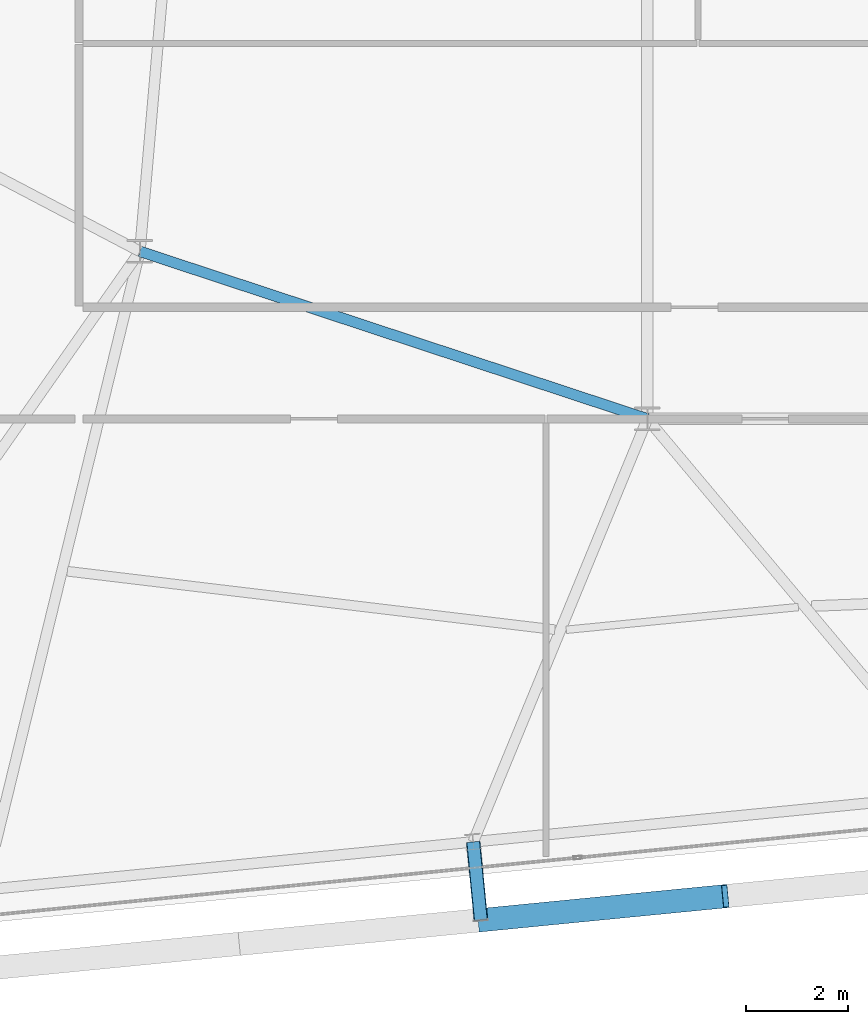
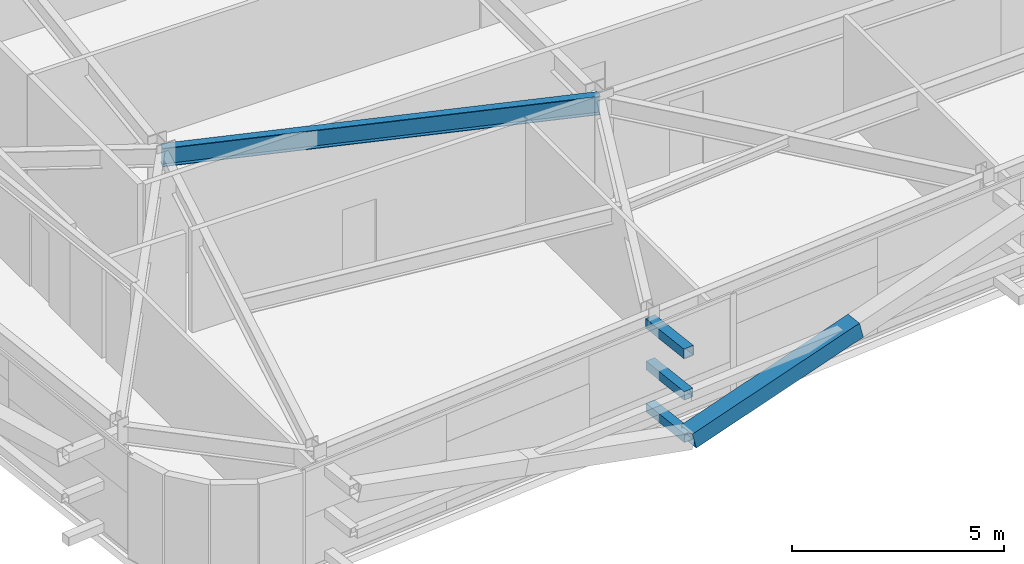
# One storey, part 8 of 47: 4 members, 1 beam.
"""IFC4 building model written with IfcOpenShell, lengths in metres."""

import ifcopenshell
import ifcopenshell.guid

model = None  # the IFC model being written
_history = None  # IfcOwnerHistory: only IFC2X3 demands one
_inside = {}  # id of a spatial element -> (the spatial element, [elements in it])
_under = {}  # id of a project, library or spatial element -> (it, [spatial elements below it])
_declared = {}  # id of a project -> (the project, [libraries it declares])
_typed = {}  # id of a type object -> (the type object, [elements of that type])
_made_of = {}  # id of a material, layer set ... -> (it, [elements and type objects made of it])


def new_model(schema):
    """Start an empty IFC model of exactly this schema.

    Asked for "IFC4X3", IfcOpenShell would pick the latest addendum, in which some entities
    have other attributes; the version numbers below select the first issue.
    IFC2X3 requires an IfcOwnerHistory on every rooted entity: one is made here for all.
    """
    global model, _history
    if schema == "IFC4X3":
        model = ifcopenshell.file(schema_version=(4, 3, 0, 0))
    else:
        model = ifcopenshell.file(schema=schema)
    _inside.clear()
    _under.clear()
    _declared.clear()
    _typed.clear()
    _made_of.clear()
    _history = None
    if model.schema == "IFC2X3":
        org = make("IfcOrganization", Name="unknown")
        user = make(
            "IfcPersonAndOrganization",
            ThePerson=make("IfcPerson", FamilyName="unknown"),
            TheOrganization=org,
        )
        app = make(
            "IfcApplication",
            ApplicationDeveloper=org,
            Version="unknown",
            ApplicationFullName="unknown",
            ApplicationIdentifier="unknown",
        )
        _history = make(
            "IfcOwnerHistory",
            OwningUser=user,
            OwningApplication=app,
            ChangeAction="ADDED",
            CreationDate=0,
        )
    return model


def make(cls, **values):
    """One entity of the class cls with the attributes given. An attribute that is None is left unset."""
    return model.create_entity(
        cls, **{name: value for name, value in values.items() if value is not None}
    )


def rooted(cls, **values):
    """An entity with a GlobalId (a new one), such as an element, a storey or a relation."""
    return make(cls, GlobalId=ifcopenshell.guid.new(), OwnerHistory=_history, **values)


def si_unit(unit_type, name, prefix=None):
    """IfcSIUnit, for example si_unit("LENGTHUNIT", "METRE", prefix="MILLI")."""
    return make("IfcSIUnit", UnitType=unit_type, Prefix=prefix, Name=name)


def assignment(units):
    """IfcUnitAssignment: the units of a project."""
    return None if units is None else make("IfcUnitAssignment", Units=units)


def point(xyz):
    """IfcCartesianPoint."""
    return None if xyz is None else make("IfcCartesianPoint", Coordinates=xyz)


def direction(xyz):
    """IfcDirection."""
    return None if xyz is None else make("IfcDirection", DirectionRatios=xyz)


def frame(location, z_axis=None, x_axis=None):
    """IfcAxis2Placement3D, a coordinate frame: its origin and axes. An axis left out is left unset."""
    return make(
        "IfcAxis2Placement3D",
        Location=point(location),
        Axis=direction(z_axis),
        RefDirection=direction(x_axis),
    )


def frame_2d(location, x_axis=None):
    """IfcAxis2Placement2D, a coordinate frame in the plane: its origin and x axis."""
    return make(
        "IfcAxis2Placement2D", Location=point(location), RefDirection=direction(x_axis)
    )


def origin():
    """The frame at (0, 0, 0) with its axes left unset."""
    return frame((0.0, 0.0, 0.0))


def origin_2d():
    """The frame at (0, 0) in the plane with its x axis left unset."""
    return frame_2d((0.0, 0.0))


def place(relative_to, where):
    """IfcLocalPlacement: puts the frame where relative to a parent placement (None: the world)."""
    return make(
        "IfcLocalPlacement", PlacementRelTo=relative_to, RelativePlacement=where
    )


def context(
    kind, dimensions, precision=None, world=None, true_north=None, identifier=None
):
    """IfcGeometricRepresentationContext, for example the 3D "Model" context."""
    return make(
        "IfcGeometricRepresentationContext",
        ContextIdentifier=identifier,
        ContextType=kind,
        CoordinateSpaceDimension=dimensions,
        Precision=precision,
        WorldCoordinateSystem=world,
        TrueNorth=true_north,
    )


def subcontext(parent, identifier, kind, view, scale=None):
    """IfcGeometricRepresentationSubContext, for example "Body" below "Model"."""
    return make(
        "IfcGeometricRepresentationSubContext",
        ContextIdentifier=identifier,
        ContextType=kind,
        ParentContext=parent,
        TargetScale=scale,
        TargetView=view,
    )


def project(units=None, contexts=None):
    """IfcProject with its units and contexts."""
    return rooted(
        "IfcProject",
        Name="project",
        RepresentationContexts=contexts,
        UnitsInContext=assignment(units),
    )


def spatial(cls, under=None, at=None, **own):
    """A site, building, storey or space (cls), placed at a placement, below another one or the project."""
    s = rooted(cls, ObjectPlacement=at, **own)
    if under is not None:
        _under.setdefault(under.id(), (under, []))[1].append(s)
    return s


def profile(cls, at=None, kind="AREA", **sizes):
    """A parametric profile (cls). Its sizes go by their IFC names, for example OverallWidth=200.0."""
    return make(cls, ProfileType=kind, Position=at, **sizes)


def hollow_rectangle(**sizes):
    """IfcRectangleHollowProfileDef."""
    return profile("IfcRectangleHollowProfileDef", **sizes)


def i_section(**sizes):
    """IfcIShapeProfileDef."""
    return profile("IfcIShapeProfileDef", **sizes)


def extrude(swept, where, along, depth):
    """IfcExtrudedAreaSolid: the profile swept, set in the frame where, extruded along a direction by depth."""
    return make(
        "IfcExtrudedAreaSolid",
        SweptArea=swept,
        Position=where,
        ExtrudedDirection=direction(along),
        Depth=depth,
    )


def shape(context_of_items, identifier, shape_type, items):
    """IfcShapeRepresentation: the items that make up one representation, for example the "Body"."""
    return make(
        "IfcShapeRepresentation",
        ContextOfItems=context_of_items,
        RepresentationIdentifier=identifier,
        RepresentationType=shape_type,
        Items=items,
    )


def source(mapping_origin, context_of_items, identifier, shape_type, items):
    """IfcRepresentationMap: a shape defined once, which mapped items show again and again."""
    return make(
        "IfcRepresentationMap",
        MappingOrigin=mapping_origin,
        MappedRepresentation=shape(context_of_items, identifier, shape_type, items),
    )


def transform(
    local_origin,
    x_axis=None,
    y_axis=None,
    z_axis=None,
    scale=None,
    scale2=None,
    scale3=None,
    uniform=True,
):
    """IfcCartesianTransformationOperator3D, or its non-uniform kind. x_axis, y_axis, z_axis: its Axis1, 2, 3."""
    if uniform:
        return make(
            "IfcCartesianTransformationOperator3D",
            Axis1=direction(x_axis),
            Axis2=direction(y_axis),
            LocalOrigin=point(local_origin),
            Scale=scale,
            Axis3=direction(z_axis),
        )
    return make(
        "IfcCartesianTransformationOperator3DnonUniform",
        Axis1=direction(x_axis),
        Axis2=direction(y_axis),
        LocalOrigin=point(local_origin),
        Scale=scale,
        Axis3=direction(z_axis),
        Scale2=scale2,
        Scale3=scale3,
    )


def mapped(mapping_source, mapping_target):
    """IfcMappedItem: shows the shape of a source again, moved by a transform."""
    return make(
        "IfcMappedItem", MappingSource=mapping_source, MappingTarget=mapping_target
    )


def material(Name=None, Category=None):
    """IfcMaterial."""
    return make("IfcMaterial", Name=Name, Category=Category)


def material_profile(
    of_material, cross_section, Name=None, Category=None, Priority=None
):
    """IfcMaterialProfile: a cross section and its material."""
    return make(
        "IfcMaterialProfile",
        Name=Name,
        Material=of_material,
        Profile=cross_section,
        Priority=Priority,
        Category=Category,
    )


def profile_set(profiles, Name=None, composite=None):
    """IfcMaterialProfileSet."""
    return make(
        "IfcMaterialProfileSet",
        Name=Name,
        MaterialProfiles=profiles,
        CompositeProfile=composite,
    )


def made_of(thing, what):
    """Note that an element or type object is made of a material, layer set ...; save() writes the relation."""
    if what is not None:
        _made_of.setdefault(what.id(), (what, []))[1].append(thing)
    return thing


def type_object(cls, material=None, **own):
    """A type object (cls), such as IfcWallType, which elements share."""
    return made_of(rooted(cls, **own), material)


def element(
    cls,
    number,
    at=None,
    inside=None,
    cuts=None,
    type_object=None,
    material=None,
    context=None,
    identifier="Body",
    shape_type=None,
    held_by="IfcProductDefinitionShape",
    body=None,
    shapes=None,
    **own,
):
    """One element of the class cls, such as IfcWall. Its Tag is "e" and its number.

    at: its placement. inside: the storey or other place that contains it. cuts: it is an
    opening in that element (IfcRelVoidsElement). A single representation is given by context,
    identifier, shape_type and body (its items); several are given by shapes. held_by: the class
    of the entity that holds the representations. save() writes the other relations.
    """
    e = rooted(cls, Tag="e%d" % number, ObjectPlacement=at, **own)
    if body is not None:
        shapes = [shape(context, identifier, shape_type, body)]
    if shapes is not None:
        e.Representation = make(held_by, Representations=shapes)
    if inside is not None:
        _inside.setdefault(inside.id(), (inside, []))[1].append(e)
    if cuts is not None:
        rooted(
            "IfcRelVoidsElement", RelatingBuildingElement=cuts, RelatedOpeningElement=e
        )
    if type_object is not None:
        _typed.setdefault(type_object.id(), (type_object, []))[1].append(e)
    return made_of(e, material)


def aggregate(whole, parts):
    """IfcRelAggregates: a whole, such as a stair, and the parts it consists of."""
    return rooted("IfcRelAggregates", RelatingObject=whole, RelatedObjects=parts)


def save(model, path):
    """Write the relations noted so far, then the file.

    IfcRelAggregates (storeys below a building ...), IfcRelContainedInSpatialStructure (elements
    in a storey), IfcRelDefinesByType, IfcRelAssociatesMaterial and IfcRelDeclares: one each for
    every whole, place, type object, material and project.
    """
    for whole, parts in _under.values():
        aggregate(whole, parts)
    for where, things in _inside.values():
        rooted(
            "IfcRelContainedInSpatialStructure",
            RelatedElements=things,
            RelatingStructure=where,
        )
    for kind, things in _typed.values():
        rooted("IfcRelDefinesByType", RelatedObjects=things, RelatingType=kind)
    for what, things in _made_of.values():
        rooted("IfcRelAssociatesMaterial", RelatedObjects=things, RelatingMaterial=what)
    for by, libraries in _declared.values():
        rooted("IfcRelDeclares", RelatingContext=by, RelatedDefinitions=libraries)
    model.write(path)


model = new_model("IFC4")

# Units and contexts
model_context = context("Model", 3, precision=1e-05, world=origin(), true_north=direction((0.0, 1.0)))
body_context = subcontext(model_context, "Body", "Model", "MODEL_VIEW")
ifc_project = project(units=[si_unit("LENGTHUNIT", "METRE"), si_unit("AREAUNIT", "SQUARE_METRE"), si_unit("VOLUMEUNIT", "CUBIC_METRE"), si_unit("PLANEANGLEUNIT", "RADIAN"), si_unit("MASSUNIT", "GRAM", prefix="KILO")], contexts=[model_context])

# Site, building, storey
site_placement = place(None, origin())
site = spatial("IfcSite", under=ifc_project, at=site_placement, CompositionType="ELEMENT")
building_placement = place(site_placement, origin())
building = spatial("IfcBuilding", under=site, at=building_placement, Name="Taldren Reach Tower", CompositionType="ELEMENT")
storey_placement = place(building_placement, frame((0.0, 0.0, 90.300048828125)))
storey = spatial("IfcBuildingStorey", under=building, at=storey_placement, Name="L27", CompositionType="ELEMENT", Elevation=90.300048828125)

# Beam
ifc_material_1 = material(Name="Steel Gr 350 (350PLUS)", Category="steel")
ifc_material_profile_1 = material_profile(ifc_material_1, i_section(OverallWidth=0.208984375, OverallDepth=0.532958984375, WebThickness=0.01025390625, FlangeThickness=0.015625, at=origin_2d()), Name="530UB92.4")
ifc_profile_set_1 = profile_set([ifc_material_profile_1], Name="Steel Gr 350 (350PLUS)")
beam_type = type_object("IfcBeamType", Name="BM-UB530A", PredefinedType="BEAM", material=ifc_profile_set_1)
shared_shape_1 = source(origin(), body_context, "Body", "SweptSolid", [
    extrude(i_section(OverallWidth=0.208984375, OverallDepth=0.532958984375, WebThickness=0.01025390625, FlangeThickness=0.015625, at=origin_2d()), origin(), (0.0, 0.0, 1.0), 10.530517578125),
])
beam_placement = place(storey_placement, frame((18.0, 12.5, 2.663330078125), z_axis=(0.949627269203, -0.313381635689, 0.0), x_axis=(0.313381635689, 0.949627269203, 0.0)))
element("IfcBeam", 1, at=beam_placement, inside=storey, type_object=beam_type, Name="Core-spine girder L27-SP10", PredefinedType="BEAM", context=body_context, shape_type="MappedRepresentation", body=[
    mapped(shared_shape_1, transform((0.0, 0.0, 0.0), scale=1.0)),
])

# Members
ifc_material_2 = material(Name="Steel Gr 450 (C450L0)", Category="steel")
ifc_material_profile_2 = material_profile(ifc_material_2, hollow_rectangle(XDim=0.27490234375, YDim=0.27490234375, WallThickness=0.00927734375, at=origin_2d()), Name="275x275x9.3SHS")
ifc_profile_set_2 = profile_set([ifc_material_profile_2], Name="Steel Gr 450 (C450L0)")
member_type_1 = type_object("IfcMemberType", Name="MB-TIE273", PredefinedType="STRUT", material=ifc_profile_set_2)
shared_shape_2 = source(origin(), body_context, "Body", "SweptSolid", [
    extrude(hollow_rectangle(XDim=0.27490234375, YDim=0.27490234375, WallThickness=0.00927734375, at=origin_2d()), origin(), (0.0, 0.0, 1.0), 1.550048828125),
])
member_1_placement = place(storey_placement, frame((24.56787109375, 0.86474609375, 2.64990234375), z_axis=(0.097647892962, -0.9952210252, 0.0), x_axis=(0.9952210252, 0.097647892962, 0.0)))
element("IfcMember", 2, at=member_1_placement, inside=storey, type_object=member_type_1, Name="Exoskeleton diaphragm tie strut B2-S2 L27", PredefinedType="STRUT", context=body_context, shape_type="MappedRepresentation", body=[
    mapped(shared_shape_2, transform((0.0, 0.0, 0.0), scale=1.0)),
])
ifc_material_profile_3 = material_profile(ifc_material_2, hollow_rectangle(XDim=0.4599609375, YDim=0.4599609375, WallThickness=0.01611328125, at=origin_2d()), Name="460x460x16.0SHS")
ifc_profile_set_3 = profile_set([ifc_material_profile_3], Name="Steel Gr 450 (C450L0)")
member_type_2 = type_object("IfcMemberType", Name="MB-EXO457", PredefinedType="BRACE", material=ifc_profile_set_3)
shared_shape_3 = source(origin(), body_context, "Body", "SweptSolid", [
    extrude(hollow_rectangle(XDim=0.4599609375, YDim=0.4599609375, WallThickness=0.01611328125, at=origin_2d()), origin(), (0.0, 0.0, 1.0), 4.990234375),
])
member_2_placement = place(storey_placement, frame((24.71923828125, -0.677978515625, 0.219970703125), z_axis=(0.965271056716, 0.094667992638, 0.243494883389), x_axis=(-0.097605711627, 0.995225162995, 0.0)))
element("IfcMember", 3, at=member_2_placement, inside=storey, type_object=member_type_2, Name="Exoskeleton Diagrid Brace B2-S2 L27", PredefinedType="BRACE", context=body_context, shape_type="MappedRepresentation", body=[
    mapped(shared_shape_3, transform((0.0, 0.0, 0.0), scale=1.0)),
])
ifc_material_3 = material(Name="Steel Gr 350 (C350L0)", Category="steel")
ifc_material_profile_4 = material_profile(ifc_material_3, hollow_rectangle(XDim=0.25, YDim=0.25, WallThickness=0.010009765625, at=origin_2d()), Name="250x250x10.0SHS")
ifc_profile_set_4 = profile_set([ifc_material_profile_4], Name="Steel Gr 350 (C350L0)")
member_type_3 = type_object("IfcMemberType", Name="MB-POST250", PredefinedType="POST", material=ifc_profile_set_4)
shared_shape_4 = source(origin(), body_context, "Body", "SweptSolid", [
    extrude(hollow_rectangle(XDim=0.25, YDim=0.25, WallThickness=0.010009765625, at=origin_2d()), origin(), (0.0, 0.0, 1.0), 1.550048828125),
])
for number, where, z_axis, x_axis, name in (
    (4, (24.56787109375, 0.86474609375, 0.219970703125), (0.097647892962, -0.9952210252, 0.0), (0.9952210252, 0.097647892962, 0.0), "Exoskeleton base diaphragm tie strut B2-S2 L27"),
    (5, (24.56787109375, 0.86474609375, 1.43505859375), (0.097647892962, -0.9952210252, 0.0), (0.9952210252, 0.097647892962, 0.0), "Exoskeleton mid-tier diaphragm tie B2-S2 L27"),
):
    element("IfcMember", number, at=place(storey_placement, frame(where, z_axis=z_axis, x_axis=x_axis)), inside=storey, type_object=member_type_3, Name=name, PredefinedType="POST", context=body_context, shape_type="MappedRepresentation", body=[
        mapped(shared_shape_4, transform((0.0, 0.0, 0.0), scale=1.0)),
    ])

save(model, "model.ifc")
